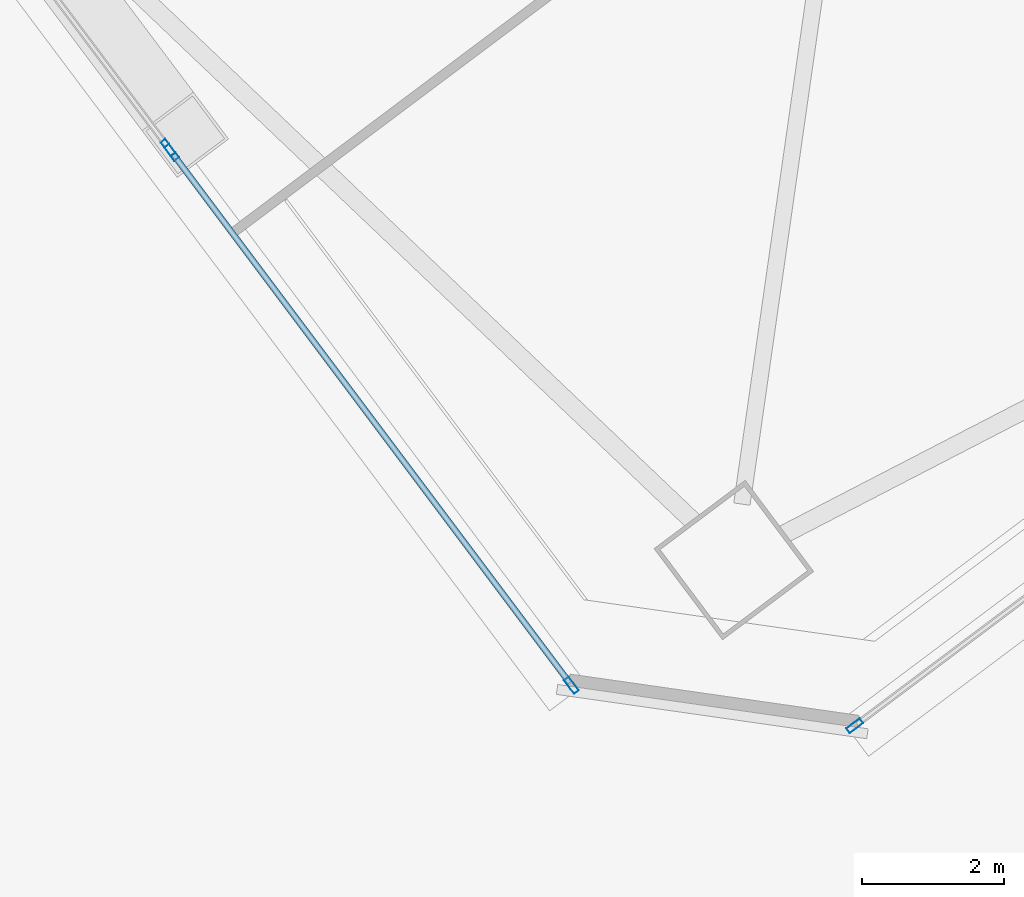
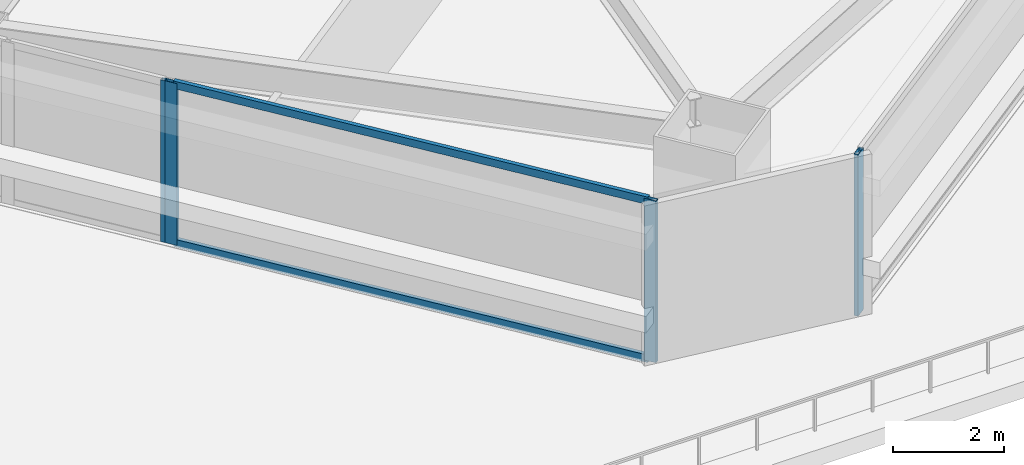
# One storey, part 32 of 83: 6 members, 3 elements without a shape of their own.
"""IFC4 building model written with IfcOpenShell, lengths in metres."""

from ifc_helpers import new_model, si_unit, direction, frame, origin, origin_2d, place, context, subcontext, project, spatial, hollow_rectangle, extrude, material, material_profile, profile_set, type_object, element, aggregate, save


model = new_model("IFC4")

# Units and contexts
model_context = context("Model", 3, precision=1e-05, world=origin(), true_north=direction((0.0, 1.0)))
body_context = subcontext(model_context, "Body", "Model", "MODEL_VIEW")
ifc_project = project(units=[si_unit("LENGTHUNIT", "METRE"), si_unit("AREAUNIT", "SQUARE_METRE"), si_unit("VOLUMEUNIT", "CUBIC_METRE"), si_unit("PLANEANGLEUNIT", "RADIAN"), si_unit("MASSUNIT", "GRAM", prefix="KILO")], contexts=[model_context])

# Site, building, storey
site_placement = place(None, origin())
site = spatial("IfcSite", under=ifc_project, at=site_placement, CompositionType="ELEMENT")
building_placement = place(site_placement, origin())
building = spatial("IfcBuilding", under=site, at=building_placement, Name="Tashvorn Skyway Center", CompositionType="ELEMENT")
storey_placement = place(building_placement, frame((0.0, 0.0, 24.60009765625)))
storey = spatial("IfcBuildingStorey", under=building, at=storey_placement, Name="L05", CompositionType="ELEMENT", Elevation=24.60009765625)

# Curtain wall, member
ifc_material = material(Name="Thermally broken bronze-anodized aluminium 6063-T6", Category="aluminium")
curtain_wall_type = type_object("IfcCurtainWallType", Name="CW-CW-Z1", PredefinedType="NOTDEFINED", material=ifc_material)
curtain_wall_1_placement = place(storey_placement, origin())
curtain_wall_1 = element("IfcCurtainWall", 1, at=curtain_wall_1_placement, inside=storey, type_object=curtain_wall_type, Name="Tower 2 L05 South Unitised Curtain Wall Glazing Group 4", PredefinedType="NOTDEFINED")
ifc_material_profile_1 = material_profile(ifc_material, hollow_rectangle(XDim=0.0849609375, YDim=0.239990234375, WallThickness=0.0048828125, at=origin_2d()), Name="ALU-MULL-85x240")
ifc_profile_set_1 = profile_set([ifc_material_profile_1], Name="Thermally broken bronze-anodized aluminium 6063-T6")
member_type_1 = type_object("IfcMemberType", Name="CWM-CW-Z1", PredefinedType="MULLION", material=ifc_profile_set_1)
member_1_placement = place(storey_placement, frame((111.93798828125, 3.353515625, 0.0), z_axis=(0.0, 0.0, 1.0), x_axis=(0.600000000002, -0.799999999998, 0.0)))
member_1 = element("IfcMember", 2, at=member_1_placement, type_object=member_type_1, Name="CW-Z1 mullion 2", PredefinedType="MULLION", context=body_context, shape_type="SweptSolid", body=[
    extrude(hollow_rectangle(XDim=0.0849609375, YDim=0.239990234375, WallThickness=0.0048828125, at=origin_2d()), origin(), (0.0, 0.0, 1.0), 3.5498046875),
])
aggregate(curtain_wall_1, [member_1])

# Curtain wall, members
curtain_wall_2_placement = place(storey_placement, origin())
curtain_wall_2 = element("IfcCurtainWall", 3, at=curtain_wall_2_placement, inside=storey, type_object=curtain_wall_type, Name="Tower 2 L05 West Unitised Curtain Wall Glazing Group 1", PredefinedType="NOTDEFINED")
member_2_placement = place(storey_placement, frame((107.95849609375, 3.922119140625, 0.0), z_axis=(0.0, 0.0, 1.0), x_axis=(-0.799999999998, -0.600000000002, 0.0)))
member_2 = element("IfcMember", 4, at=member_2_placement, type_object=member_type_1, Name="CW-Z1 mullion 1", PredefinedType="MULLION", context=body_context, shape_type="SweptSolid", body=[
    extrude(hollow_rectangle(XDim=0.0849609375, YDim=0.239990234375, WallThickness=0.0048828125, at=origin_2d()), origin(), (0.0, 0.0, 1.0), 3.5498046875),
])
member_3_placement = place(storey_placement, frame((102.345458984375, 11.406005859375, 0.0), z_axis=(0.0, 0.0, 1.0), x_axis=(-0.799999999998, -0.600000000002, 0.0)))
member_3 = element("IfcMember", 5, at=member_3_placement, type_object=member_type_1, Name="CW-Z1 mullion 2", PredefinedType="MULLION", context=body_context, shape_type="SweptSolid", body=[
    extrude(hollow_rectangle(XDim=0.0849609375, YDim=0.239990234375, WallThickness=0.0048828125, at=origin_2d()), origin(), (0.0, 0.0, 1.0), 3.5498046875),
])

# Curtain wall, member
curtain_wall_3_placement = place(storey_placement, origin())
curtain_wall_3 = element("IfcCurtainWall", 6, at=curtain_wall_3_placement, inside=storey, type_object=curtain_wall_type, Name="Tower 2 L05 West Unitised Curtain Wall Glazing Group 2", PredefinedType="NOTDEFINED")
member_4_placement = place(storey_placement, frame((102.29443359375, 11.47412109375, 0.0), z_axis=(0.0, 0.0, 1.0), x_axis=(-0.800001906763, -0.599997457641, 0.0)))
member_4 = element("IfcMember", 7, at=member_4_placement, type_object=member_type_1, Name="CW-Z1 mullion 1", PredefinedType="MULLION", context=body_context, shape_type="SweptSolid", body=[
    extrude(hollow_rectangle(XDim=0.0849609375, YDim=0.239990234375, WallThickness=0.0048828125, at=origin_2d()), origin(), (0.0, 0.0, 1.0), 3.5498046875),
])
aggregate(curtain_wall_3, [member_4])

# Member
ifc_material_profile_2 = material_profile(ifc_material, hollow_rectangle(XDim=0.0849609375, YDim=0.1650390625, WallThickness=0.0048828125, at=origin_2d()), Name="ALU-TRAN-85x165")
ifc_profile_set_2 = profile_set([ifc_material_profile_2], Name="Thermally broken bronze-anodized aluminium 6063-T6")
member_type_2 = type_object("IfcMemberType", Name="CWT-CW-Z1", PredefinedType="USERDEFINED", material=ifc_profile_set_2)
member_5_placement = place(storey_placement, frame((107.93310546875, 3.9560546875, 0.04248046875), z_axis=(-0.6, 0.8, 0.0), x_axis=(-0.8, -0.6, 0.0)))
member_5 = element("IfcMember", 8, at=member_5_placement, type_object=member_type_2, Name="CW-Z1 transom 1.1", ObjectType="TRANSOM", PredefinedType="USERDEFINED", context=body_context, shape_type="SweptSolid", body=[
    extrude(hollow_rectangle(XDim=0.0849609375, YDim=0.1650390625, WallThickness=0.0048828125, at=origin_2d()), origin(), (0.0, 0.0, 1.0), 9.27001953125),
])

member_6_placement = place(storey_placement, frame((107.93310546875, 3.9560546875, 3.50732421875), z_axis=(-0.6, 0.8, 0.0), x_axis=(-0.8, -0.6, 0.0)))
member_6 = element("IfcMember", 9, at=member_6_placement, type_object=member_type_2, Name="CW-Z1 transom 1.2", ObjectType="TRANSOM", PredefinedType="USERDEFINED", context=body_context, shape_type="SweptSolid", body=[
    extrude(hollow_rectangle(XDim=0.0849609375, YDim=0.1650390625, WallThickness=0.0048828125, at=origin_2d()), origin(), (0.0, 0.0, 1.0), 9.27001953125),
])

aggregate(curtain_wall_2, [member_2, member_3, member_5, member_6])

save(model, "model.ifc")
